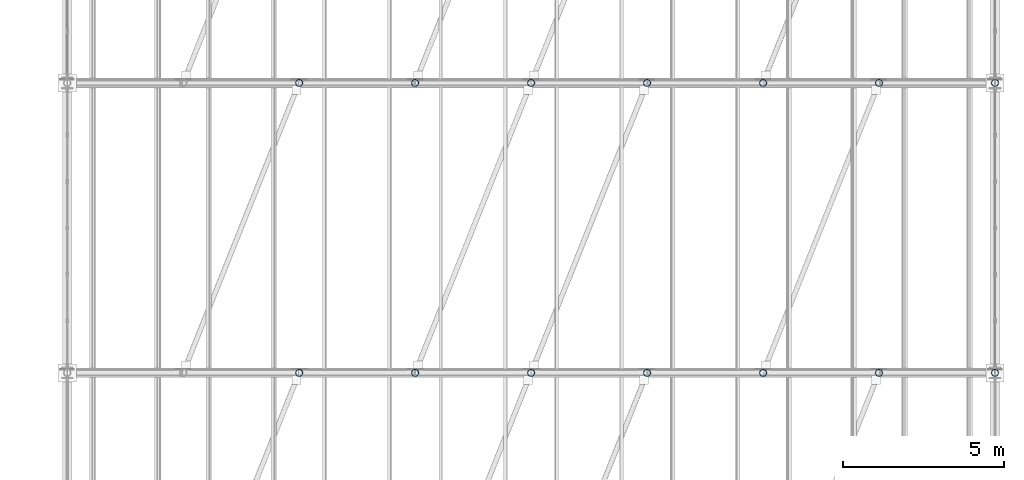
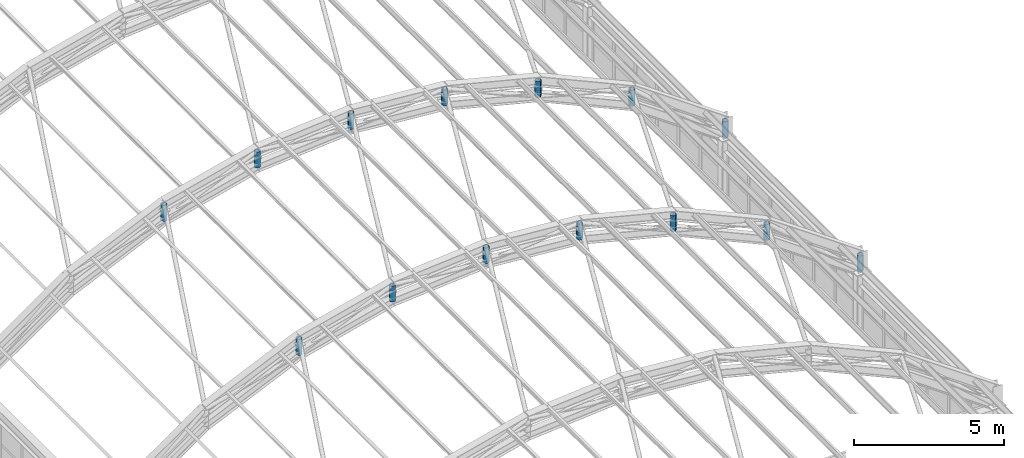
# One storey, part 89 of 121: 14 members.
"""IFC4 building model written with IfcOpenShell, lengths in metres."""

from ifc_helpers import new_model, si_unit, direction, frame, origin, origin_2d, place, context, subcontext, project, spatial, hollow_circle, extrude, material, material_profile, profile_set, type_object, element, save


model = new_model("IFC4")

# Units and contexts
model_context = context("Model", 3, precision=1e-05, world=origin(), true_north=direction((0.0, 1.0)))
body_context = subcontext(model_context, "Body", "Model", "MODEL_VIEW")
ifc_project = project(units=[si_unit("LENGTHUNIT", "METRE"), si_unit("AREAUNIT", "SQUARE_METRE"), si_unit("VOLUMEUNIT", "CUBIC_METRE"), si_unit("PLANEANGLEUNIT", "RADIAN"), si_unit("MASSUNIT", "GRAM", prefix="KILO")], contexts=[model_context])

# Site, building, storey
site_placement = place(None, origin())
site = spatial("IfcSite", under=ifc_project, at=site_placement, CompositionType="ELEMENT")
building_placement = place(site_placement, origin())
building = spatial("IfcBuilding", under=site, at=building_placement, Name="Canglan Escarpment Cableway Terminal", CompositionType="ELEMENT")
storey_placement = place(building_placement, frame((0.0, 0.0, 24.60009765625)))
storey = spatial("IfcBuildingStorey", under=building, at=storey_placement, Name="L05", CompositionType="ELEMENT", Elevation=24.60009765625)

# Members
ifc_material = material(Name="Steel Q355B", Category="steel")
ifc_material_profile = material_profile(ifc_material, hollow_circle(Radius=0.109619140625, WallThickness=0.008056640625, at=origin_2d()), Name="CHS 219.1x8")
ifc_profile_set = profile_set([ifc_material_profile], Name="Steel Q355B")
member_type = type_object("IfcMemberType", Name="MB-ARCH-WEB-CHS219", PredefinedType="BRACE", material=ifc_profile_set)
for number, where, z_axis, x_axis, name in (
    (1, (144.800048828125, 61.0, 6.58837890625), (0.0, 0.0, 1.0), (1.0, 0.0, 0.0), "Vault ROOF TRUSS vertical strut AR-WB1"),
    (2, (148.39990234375, 61.0, 7.50341796875), (0.0, 0.0, 1.0), (1.0, 0.0, 0.0), "Vault ROOF TRUSS vertical strut AR-WB1"),
):
    element("IfcMember", number, at=place(storey_placement, frame(where, z_axis=z_axis, x_axis=x_axis)), inside=storey, type_object=member_type, Name=name, PredefinedType="BRACE", context=body_context, shape_type="SweptSolid", body=[
        extrude(hollow_circle(Radius=0.109619140625, WallThickness=0.008056640625, at=origin_2d()), origin(), (0.0, 0.0, 1.0), 0.64990234375),
    ])
member_1_placement = place(storey_placement, frame((152.0, 61.0, 7.7998046875), z_axis=(0.0, 0.0, 1.0), x_axis=(1.0, 0.0, 0.0)))
element("IfcMember", 3, at=member_1_placement, inside=storey, type_object=member_type, Name="Vault ROOF TRUSS vertical strut AR-WB1", PredefinedType="BRACE", context=body_context, shape_type="SweptSolid", body=[
    extrude(hollow_circle(Radius=0.109619140625, WallThickness=0.008056640625, at=origin_2d()), origin(), (0.0, 0.0, 1.0), 0.650146484375),
])
for number, where, z_axis, x_axis, name in (
    (4, (155.60009765625, 61.0, 7.50341796875), (0.0, 0.0, 1.0), (1.0, 0.0, 0.0), "Vault ROOF TRUSS vertical strut AR-WB1"),
    (5, (159.199951171875, 61.0, 6.58837890625), (0.0, 0.0, 1.0), (1.0, 0.0, 0.0), "Vault ROOF TRUSS vertical strut AR-WB1"),
    (6, (162.800048828125, 61.0, 4.966552734375), (0.0, 0.0, 1.0), (1.0, 0.0, 0.0), "Vault ROOF TRUSS vertical strut AR-WB1"),
):
    element("IfcMember", number, at=place(storey_placement, frame(where, z_axis=z_axis, x_axis=x_axis)), inside=storey, type_object=member_type, Name=name, PredefinedType="BRACE", context=body_context, shape_type="SweptSolid", body=[
        extrude(hollow_circle(Radius=0.109619140625, WallThickness=0.008056640625, at=origin_2d()), origin(), (0.0, 0.0, 1.0), 0.64990234375),
    ])
member_2_placement = place(storey_placement, frame((166.39990234375, 61.0, 2.432373046875), z_axis=(0.0, 0.0, 1.0), x_axis=(1.0, 0.0, 0.0)))
element("IfcMember", 7, at=member_2_placement, inside=storey, type_object=member_type, Name="Vault ROOF TRUSS springing strut AR-WB1", PredefinedType="BRACE", context=body_context, shape_type="SweptSolid", body=[
    extrude(hollow_circle(Radius=0.109619140625, WallThickness=0.008056640625, at=origin_2d()), origin(), (0.0, 0.0, 1.0), 0.650146484375),
])
for number, where, z_axis, x_axis, name in (
    (8, (144.800048828125, 70.0, 6.58837890625), (0.0, 0.0, 1.0), (1.0, 0.0, 0.0), "Vault ROOF TRUSS vertical strut AR-WB1"),
    (9, (148.39990234375, 70.0, 7.50341796875), (0.0, 0.0, 1.0), (1.0, 0.0, 0.0), "Vault ROOF TRUSS vertical strut AR-WB1"),
):
    element("IfcMember", number, at=place(storey_placement, frame(where, z_axis=z_axis, x_axis=x_axis)), inside=storey, type_object=member_type, Name=name, PredefinedType="BRACE", context=body_context, shape_type="SweptSolid", body=[
        extrude(hollow_circle(Radius=0.109619140625, WallThickness=0.008056640625, at=origin_2d()), origin(), (0.0, 0.0, 1.0), 0.64990234375),
    ])
member_3_placement = place(storey_placement, frame((152.0, 70.0, 7.7998046875), z_axis=(0.0, 0.0, 1.0), x_axis=(1.0, 0.0, 0.0)))
element("IfcMember", 10, at=member_3_placement, inside=storey, type_object=member_type, Name="Vault ROOF TRUSS vertical strut AR-WB1", PredefinedType="BRACE", context=body_context, shape_type="SweptSolid", body=[
    extrude(hollow_circle(Radius=0.109619140625, WallThickness=0.008056640625, at=origin_2d()), origin(), (0.0, 0.0, 1.0), 0.650146484375),
])
for number, where, z_axis, x_axis, name in (
    (11, (155.60009765625, 70.0, 7.50341796875), (0.0, 0.0, 1.0), (1.0, 0.0, 0.0), "Vault ROOF TRUSS vertical strut AR-WB1"),
    (12, (159.199951171875, 70.0, 6.58837890625), (0.0, 0.0, 1.0), (1.0, 0.0, 0.0), "Vault ROOF TRUSS vertical strut AR-WB1"),
    (13, (162.800048828125, 70.0, 4.966552734375), (0.0, 0.0, 1.0), (1.0, 0.0, 0.0), "Vault ROOF TRUSS vertical strut AR-WB1"),
):
    element("IfcMember", number, at=place(storey_placement, frame(where, z_axis=z_axis, x_axis=x_axis)), inside=storey, type_object=member_type, Name=name, PredefinedType="BRACE", context=body_context, shape_type="SweptSolid", body=[
        extrude(hollow_circle(Radius=0.109619140625, WallThickness=0.008056640625, at=origin_2d()), origin(), (0.0, 0.0, 1.0), 0.64990234375),
    ])
member_4_placement = place(storey_placement, frame((166.39990234375, 70.0, 2.432373046875), z_axis=(0.0, 0.0, 1.0), x_axis=(1.0, 0.0, 0.0)))
element("IfcMember", 14, at=member_4_placement, inside=storey, type_object=member_type, Name="Vault ROOF TRUSS springing strut AR-WB1", PredefinedType="BRACE", context=body_context, shape_type="SweptSolid", body=[
    extrude(hollow_circle(Radius=0.109619140625, WallThickness=0.008056640625, at=origin_2d()), origin(), (0.0, 0.0, 1.0), 0.650146484375),
])

save(model, "model.ifc")
